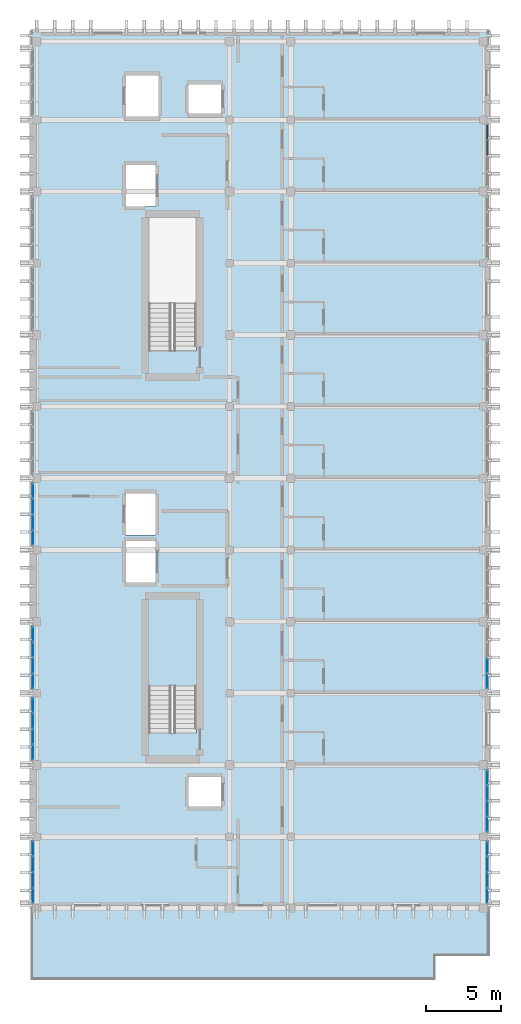
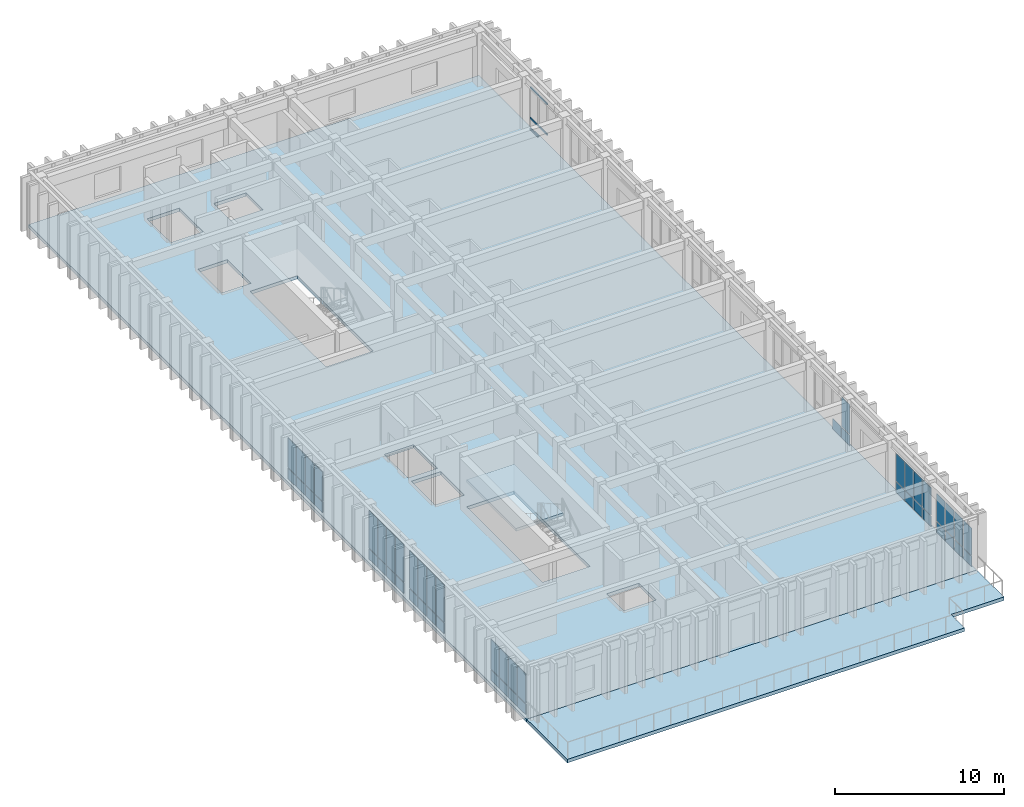
# One storey, part 37 of 49: 51 plates, 5 members, 3 slabs, 9 elements without a shape of their own.
"""IFC4 building model written with IfcOpenShell, lengths in metres."""

from ifc_helpers import new_model, si_unit, direction, frame, origin, origin_2d, place, context, subcontext, project, spatial, polyline, rectangle, hollow_rectangle, outline, extrude, material, layer, layer_set, material_profile, profile_set, type_object, element, aggregate, save


model = new_model("IFC4")

# Units and contexts
model_context = context("Model", 3, precision=1e-05, world=origin(), true_north=direction((0.0, 1.0)))
body_context = subcontext(model_context, "Body", "Model", "MODEL_VIEW")
ifc_project = project(units=[si_unit("LENGTHUNIT", "METRE"), si_unit("AREAUNIT", "SQUARE_METRE"), si_unit("VOLUMEUNIT", "CUBIC_METRE"), si_unit("PLANEANGLEUNIT", "RADIAN"), si_unit("MASSUNIT", "GRAM", prefix="KILO")], contexts=[model_context])

# Site, building, storey
site_placement = place(None, origin())
site = spatial("IfcSite", under=ifc_project, at=site_placement, CompositionType="ELEMENT")
building_placement = place(site_placement, origin())
building = spatial("IfcBuilding", under=site, at=building_placement, Name="Nakhvara Creek Congress Hotel", CompositionType="ELEMENT")
storey_placement = place(building_placement, frame((0.0, 0.0, 46.5)))
storey = spatial("IfcBuildingStorey", under=building, at=storey_placement, Name="L11", CompositionType="ELEMENT", Elevation=46.5)

# Curtain wall, members
ifc_material_1 = material(Name="Bronze-anodised aluminium AW-6063-T6 and double-silver low-E glass", Category="aluminium")
ifc_layer_1 = layer(ifc_material_1, 0.199951171875)
ifc_layer_set_1 = layer_set([ifc_layer_1], Name="Bronze-anodised aluminium AW-6063-T6 and double-silver low-E glass")
curtain_wall_type = type_object("IfcCurtainWallType", Name="CW-HTL-UNIT", PredefinedType="USERDEFINED", material=ifc_layer_set_1)
curtain_wall_1_placement = place(storey_placement, origin())
curtain_wall_1 = element("IfcCurtainWall", 1, at=curtain_wall_1_placement, inside=storey, type_object=curtain_wall_type, Name="Curtain Wall CW346", ObjectType="UNITISED", PredefinedType="USERDEFINED")
ifc_material_2 = material(Name="Bronze-anodised aluminium AW-6063-T6", Category="aluminium")
ifc_material_profile = material_profile(ifc_material_2, hollow_rectangle(XDim=0.06494140625, YDim=0.1201171875, WallThickness=0.00390625, at=origin_2d()), Name="ALU-TRAN 65x120x4", Category="LoadBearing")
ifc_profile_set = profile_set([ifc_material_profile], Name="Bronze-anodised aluminium AW-6063-T6")
member_type = type_object("IfcMemberType", Name="CW-TRAN-120", PredefinedType="USERDEFINED", material=ifc_profile_set)
member_1_placement = place(storey_placement, frame((179.60009765625, 119.659912109375, 0.032470703125), z_axis=(0.0, -1.0, 0.0), x_axis=(1.0, 0.0, 0.0)))
member_1 = element("IfcMember", 2, at=member_1_placement, type_object=member_type, Name="CW346 transom 1.1", ObjectType="TRANSOM", PredefinedType="USERDEFINED", context=body_context, shape_type="SweptSolid", body=[
    extrude(hollow_rectangle(XDim=0.06494140625, YDim=0.1201171875, WallThickness=0.00390625, at=origin_2d()), origin(), (0.0, 0.0, 1.0), 0.95751953125),
])
member_2_placement = place(storey_placement, frame((179.60009765625, 119.659912109375, 0.85009765625), z_axis=(0.0, -1.0, 0.0), x_axis=(1.0, 0.0, 0.0)))
member_2 = element("IfcMember", 3, at=member_2_placement, type_object=member_type, Name="CW346 transom 1.2", ObjectType="TRANSOM", PredefinedType="USERDEFINED", context=body_context, shape_type="SweptSolid", body=[
    extrude(hollow_rectangle(XDim=0.06494140625, YDim=0.1201171875, WallThickness=0.00390625, at=origin_2d()), origin(), (0.0, 0.0, 1.0), 0.95751953125),
])
member_3_placement = place(storey_placement, frame((179.60009765625, 119.659912109375, 3.03955078125), z_axis=(0.0, -1.0, 0.0), x_axis=(1.0, 0.0, 0.0)))
member_3 = element("IfcMember", 4, at=member_3_placement, type_object=member_type, Name="CW346 transom 1.3", ObjectType="TRANSOM", PredefinedType="USERDEFINED", context=body_context, shape_type="SweptSolid", body=[
    extrude(hollow_rectangle(XDim=0.06494140625, YDim=0.1201171875, WallThickness=0.00390625, at=origin_2d()), origin(), (0.0, 0.0, 1.0), 0.95751953125),
])
member_4_placement = place(storey_placement, frame((179.60009765625, 118.637451171875, 0.85009765625), z_axis=(0.0, -1.0, 0.0), x_axis=(1.0, 0.0, 0.0)))
member_4 = element("IfcMember", 5, at=member_4_placement, type_object=member_type, Name="CW346 transom 2.2", ObjectType="TRANSOM", PredefinedType="USERDEFINED", context=body_context, shape_type="SweptSolid", body=[
    extrude(hollow_rectangle(XDim=0.06494140625, YDim=0.1201171875, WallThickness=0.00390625, at=origin_2d()), origin(), (0.0, 0.0, 1.0), 0.989990234375),
])
member_5_placement = place(storey_placement, frame((179.60009765625, 118.637451171875, 3.03955078125), z_axis=(0.0, -1.0, 0.0), x_axis=(1.0, 0.0, 0.0)))
member_5 = element("IfcMember", 6, at=member_5_placement, type_object=member_type, Name="CW346 transom 2.3", ObjectType="TRANSOM", PredefinedType="USERDEFINED", context=body_context, shape_type="SweptSolid", body=[
    extrude(hollow_rectangle(XDim=0.06494140625, YDim=0.1201171875, WallThickness=0.00390625, at=origin_2d()), origin(), (0.0, 0.0, 1.0), 0.989990234375),
])
aggregate(curtain_wall_1, [member_1, member_2, member_3, member_4, member_5])

# Curtain wall, plates
curtain_wall_2_placement = place(storey_placement, origin())
curtain_wall_2 = element("IfcCurtainWall", 7, at=curtain_wall_2_placement, inside=storey, type_object=curtain_wall_type, Name="Curtain Wall CW332", ObjectType="UNITISED", PredefinedType="USERDEFINED")
ifc_material_3 = material(Name="Double-silver solar-control low-E insulated glass", Category="glass")
plate_type_1 = type_object("IfcPlateType", Name="PNL-GLZ-120X250", PredefinedType="CURTAIN_PANEL", material=ifc_material_3)
plate_1_placement = place(storey_placement, frame((179.60009765625, 71.18115234375, 0.06494140625), z_axis=(0.0, 0.0, 1.0), x_axis=(0.0, -1.0, 0.0)))
plate_1 = element("IfcPlate", 8, at=plate_1_placement, type_object=plate_type_1, Name="CW332 panel 1.1", PredefinedType="CURTAIN_PANEL", context=body_context, shape_type="SweptSolid", body=[
    extrude(rectangle(XDim=0.95751953125, YDim=0.028076171875, at=origin_2d()), origin(), (0.0, 0.0, 1.0), 0.75244140625),
])
plate_2_placement = place(storey_placement, frame((179.60009765625, 71.18115234375, 0.88232421875), z_axis=(0.0, 0.0, 1.0), x_axis=(0.0, -1.0, 0.0)))
plate_2 = element("IfcPlate", 9, at=plate_2_placement, type_object=plate_type_1, Name="CW332 panel 1.2", PredefinedType="CURTAIN_PANEL", context=body_context, shape_type="SweptSolid", body=[
    extrude(rectangle(XDim=0.95751953125, YDim=0.028076171875, at=origin_2d()), origin(), (0.0, 0.0, 1.0), 1.974609375),
])
plate_3_placement = place(storey_placement, frame((179.60009765625, 70.142578125, 0.06494140625), z_axis=(0.0, 0.0, 1.0), x_axis=(0.0, -1.0, 0.0)))
plate_3 = element("IfcPlate", 10, at=plate_3_placement, type_object=plate_type_1, Name="CW332 panel 2.1", PredefinedType="CURTAIN_PANEL", context=body_context, shape_type="SweptSolid", body=[
    extrude(rectangle(XDim=0.989990234375, YDim=0.028076171875, at=origin_2d()), origin(), (0.0, 0.0, 1.0), 0.75244140625),
])
plate_4_placement = place(storey_placement, frame((179.60009765625, 70.142578125, 0.88232421875), z_axis=(0.0, 0.0, 1.0), x_axis=(0.0, -1.0, 0.0)))
plate_4 = element("IfcPlate", 11, at=plate_4_placement, type_object=plate_type_1, Name="CW332 panel 2.2", PredefinedType="CURTAIN_PANEL", context=body_context, shape_type="SweptSolid", body=[
    extrude(rectangle(XDim=0.989990234375, YDim=0.028076171875, at=origin_2d()), origin(), (0.0, 0.0, 1.0), 1.974609375),
])
plate_5_placement = place(storey_placement, frame((179.60009765625, 69.08740234375, 0.06494140625), z_axis=(0.0, 0.0, 1.0), x_axis=(0.0, -1.0, 0.0)))
plate_5 = element("IfcPlate", 12, at=plate_5_placement, type_object=plate_type_1, Name="CW332 panel 3.1", PredefinedType="CURTAIN_PANEL", context=body_context, shape_type="SweptSolid", body=[
    extrude(rectangle(XDim=0.989990234375, YDim=0.028076171875, at=origin_2d()), origin(), (0.0, 0.0, 1.0), 0.75244140625),
])
plate_6_placement = place(storey_placement, frame((179.60009765625, 69.08740234375, 0.88232421875), z_axis=(0.0, 0.0, 1.0), x_axis=(0.0, -1.0, 0.0)))
plate_6 = element("IfcPlate", 13, at=plate_6_placement, type_object=plate_type_1, Name="CW332 panel 3.2", PredefinedType="CURTAIN_PANEL", context=body_context, shape_type="SweptSolid", body=[
    extrude(rectangle(XDim=0.989990234375, YDim=0.028076171875, at=origin_2d()), origin(), (0.0, 0.0, 1.0), 1.974609375),
])
plate_7_placement = place(storey_placement, frame((179.60009765625, 68.048828125, 0.06494140625), z_axis=(0.0, 0.0, 1.0), x_axis=(0.0, -1.0, 0.0)))
plate_7 = element("IfcPlate", 14, at=plate_7_placement, type_object=plate_type_1, Name="CW332 panel 4.1", PredefinedType="CURTAIN_PANEL", context=body_context, shape_type="SweptSolid", body=[
    extrude(rectangle(XDim=0.95751953125, YDim=0.028076171875, at=origin_2d()), origin(), (0.0, 0.0, 1.0), 0.75244140625),
])
plate_8_placement = place(storey_placement, frame((179.60009765625, 68.048828125, 0.88232421875), z_axis=(0.0, 0.0, 1.0), x_axis=(0.0, -1.0, 0.0)))
plate_8 = element("IfcPlate", 15, at=plate_8_placement, type_object=plate_type_1, Name="CW332 panel 4.2", PredefinedType="CURTAIN_PANEL", context=body_context, shape_type="SweptSolid", body=[
    extrude(rectangle(XDim=0.95751953125, YDim=0.028076171875, at=origin_2d()), origin(), (0.0, 0.0, 1.0), 1.974609375),
])
aggregate(curtain_wall_2, [plate_1, plate_2, plate_3, plate_4, plate_5, plate_6, plate_7, plate_8])

curtain_wall_3_placement = place(storey_placement, origin())
curtain_wall_3 = element("IfcCurtainWall", 16, at=curtain_wall_3_placement, inside=storey, type_object=curtain_wall_type, Name="Curtain Wall CW333", ObjectType="UNITISED", PredefinedType="USERDEFINED")
plate_9_placement = place(storey_placement, frame((149.199951171875, 68.048828125, 0.06494140625), z_axis=(0.0, 0.0, 1.0), x_axis=(0.0, 1.0, 0.0)))
plate_9 = element("IfcPlate", 17, at=plate_9_placement, type_object=plate_type_1, Name="CW333 panel 1.1", PredefinedType="CURTAIN_PANEL", context=body_context, shape_type="SweptSolid", body=[
    extrude(rectangle(XDim=0.95751953125, YDim=0.028076171875, at=origin_2d()), origin(), (0.0, 0.0, 1.0), 0.75244140625),
])
plate_10_placement = place(storey_placement, frame((149.199951171875, 68.048828125, 0.882568359375), z_axis=(0.0, 0.0, 1.0), x_axis=(0.0, 1.0, 0.0)))
plate_10 = element("IfcPlate", 18, at=plate_10_placement, type_object=plate_type_1, Name="CW333 panel 1.2", PredefinedType="CURTAIN_PANEL", context=body_context, shape_type="SweptSolid", body=[
    extrude(rectangle(XDim=0.95751953125, YDim=0.028076171875, at=origin_2d()), origin(), (0.0, 0.0, 1.0), 2.12451171875),
])
plate_11_placement = place(storey_placement, frame((149.199951171875, 69.08740234375, 0.06494140625), z_axis=(0.0, 0.0, 1.0), x_axis=(0.0, 1.0, 0.0)))
plate_11 = element("IfcPlate", 19, at=plate_11_placement, type_object=plate_type_1, Name="CW333 panel 2.1", PredefinedType="CURTAIN_PANEL", context=body_context, shape_type="SweptSolid", body=[
    extrude(rectangle(XDim=0.989990234375, YDim=0.028076171875, at=origin_2d()), origin(), (0.0, 0.0, 1.0), 0.75244140625),
])
plate_12_placement = place(storey_placement, frame((149.199951171875, 69.08740234375, 0.882568359375), z_axis=(0.0, 0.0, 1.0), x_axis=(0.0, 1.0, 0.0)))
plate_12 = element("IfcPlate", 20, at=plate_12_placement, type_object=plate_type_1, Name="CW333 panel 2.2", PredefinedType="CURTAIN_PANEL", context=body_context, shape_type="SweptSolid", body=[
    extrude(rectangle(XDim=0.989990234375, YDim=0.028076171875, at=origin_2d()), origin(), (0.0, 0.0, 1.0), 2.12451171875),
])
plate_13_placement = place(storey_placement, frame((149.199951171875, 70.142578125, 0.06494140625), z_axis=(0.0, 0.0, 1.0), x_axis=(0.0, 1.0, 0.0)))
plate_13 = element("IfcPlate", 21, at=plate_13_placement, type_object=plate_type_1, Name="CW333 panel 3.1", PredefinedType="CURTAIN_PANEL", context=body_context, shape_type="SweptSolid", body=[
    extrude(rectangle(XDim=0.989990234375, YDim=0.028076171875, at=origin_2d()), origin(), (0.0, 0.0, 1.0), 0.75244140625),
])
plate_14_placement = place(storey_placement, frame((149.199951171875, 70.142578125, 0.882568359375), z_axis=(0.0, 0.0, 1.0), x_axis=(0.0, 1.0, 0.0)))
plate_14 = element("IfcPlate", 22, at=plate_14_placement, type_object=plate_type_1, Name="CW333 panel 3.2", PredefinedType="CURTAIN_PANEL", context=body_context, shape_type="SweptSolid", body=[
    extrude(rectangle(XDim=0.989990234375, YDim=0.028076171875, at=origin_2d()), origin(), (0.0, 0.0, 1.0), 2.12451171875),
])
plate_15_placement = place(storey_placement, frame((149.199951171875, 71.18115234375, 0.06494140625), z_axis=(0.0, 0.0, 1.0), x_axis=(0.0, 1.0, 0.0)))
plate_15 = element("IfcPlate", 23, at=plate_15_placement, type_object=plate_type_1, Name="CW333 panel 4.1", PredefinedType="CURTAIN_PANEL", context=body_context, shape_type="SweptSolid", body=[
    extrude(rectangle(XDim=0.95751953125, YDim=0.028076171875, at=origin_2d()), origin(), (0.0, 0.0, 1.0), 0.75244140625),
])
plate_16_placement = place(storey_placement, frame((149.199951171875, 71.18115234375, 0.882568359375), z_axis=(0.0, 0.0, 1.0), x_axis=(0.0, 1.0, 0.0)))
plate_16 = element("IfcPlate", 24, at=plate_16_placement, type_object=plate_type_1, Name="CW333 panel 4.2", PredefinedType="CURTAIN_PANEL", context=body_context, shape_type="SweptSolid", body=[
    extrude(rectangle(XDim=0.95751953125, YDim=0.028076171875, at=origin_2d()), origin(), (0.0, 0.0, 1.0), 2.12451171875),
])
aggregate(curtain_wall_3, [plate_9, plate_10, plate_11, plate_12, plate_13, plate_14, plate_15, plate_16])

curtain_wall_4_placement = place(storey_placement, origin())
curtain_wall_4 = element("IfcCurtainWall", 25, at=curtain_wall_4_placement, inside=storey, type_object=curtain_wall_type, Name="Curtain Wall CW335", ObjectType="UNITISED", PredefinedType="USERDEFINED")
plate_17_placement = place(storey_placement, frame((149.199951171875, 77.648681640625, 0.06494140625), z_axis=(0.0, 0.0, 1.0), x_axis=(0.0, 1.0, 0.0)))
plate_17 = element("IfcPlate", 26, at=plate_17_placement, type_object=plate_type_1, Name="CW335 panel 1.1", PredefinedType="CURTAIN_PANEL", context=body_context, shape_type="SweptSolid", body=[
    extrude(rectangle(XDim=0.95751953125, YDim=0.028076171875, at=origin_2d()), origin(), (0.0, 0.0, 1.0), 0.75244140625),
])
plate_18_placement = place(storey_placement, frame((149.199951171875, 77.648681640625, 0.88232421875), z_axis=(0.0, 0.0, 1.0), x_axis=(0.0, 1.0, 0.0)))
plate_18 = element("IfcPlate", 27, at=plate_18_placement, type_object=plate_type_1, Name="CW335 panel 1.2", PredefinedType="CURTAIN_PANEL", context=body_context, shape_type="SweptSolid", body=[
    extrude(rectangle(XDim=0.95751953125, YDim=0.028076171875, at=origin_2d()), origin(), (0.0, 0.0, 1.0), 2.702392578125),
])
plate_19_placement = place(storey_placement, frame((149.199951171875, 78.6875, 0.06494140625), z_axis=(0.0, 0.0, 1.0), x_axis=(0.0, 1.0, 0.0)))
plate_19 = element("IfcPlate", 28, at=plate_19_placement, type_object=plate_type_1, Name="CW335 panel 2.1", PredefinedType="CURTAIN_PANEL", context=body_context, shape_type="SweptSolid", body=[
    extrude(rectangle(XDim=0.989990234375, YDim=0.028076171875, at=origin_2d()), origin(), (0.0, 0.0, 1.0), 0.75244140625),
])
plate_20_placement = place(storey_placement, frame((149.199951171875, 78.6875, 0.88232421875), z_axis=(0.0, 0.0, 1.0), x_axis=(0.0, 1.0, 0.0)))
plate_20 = element("IfcPlate", 29, at=plate_20_placement, type_object=plate_type_1, Name="CW335 panel 2.2", PredefinedType="CURTAIN_PANEL", context=body_context, shape_type="SweptSolid", body=[
    extrude(rectangle(XDim=0.989990234375, YDim=0.028076171875, at=origin_2d()), origin(), (0.0, 0.0, 1.0), 2.702392578125),
])
plate_21_placement = place(storey_placement, frame((149.199951171875, 79.742431640625, 0.06494140625), z_axis=(0.0, 0.0, 1.0), x_axis=(0.0, 1.0, 0.0)))
plate_21 = element("IfcPlate", 30, at=plate_21_placement, type_object=plate_type_1, Name="CW335 panel 3.1", PredefinedType="CURTAIN_PANEL", context=body_context, shape_type="SweptSolid", body=[
    extrude(rectangle(XDim=0.989990234375, YDim=0.028076171875, at=origin_2d()), origin(), (0.0, 0.0, 1.0), 0.75244140625),
])
plate_22_placement = place(storey_placement, frame((149.199951171875, 79.742431640625, 0.88232421875), z_axis=(0.0, 0.0, 1.0), x_axis=(0.0, 1.0, 0.0)))
plate_22 = element("IfcPlate", 31, at=plate_22_placement, type_object=plate_type_1, Name="CW335 panel 3.2", PredefinedType="CURTAIN_PANEL", context=body_context, shape_type="SweptSolid", body=[
    extrude(rectangle(XDim=0.989990234375, YDim=0.028076171875, at=origin_2d()), origin(), (0.0, 0.0, 1.0), 2.702392578125),
])
plate_23_placement = place(storey_placement, frame((149.199951171875, 80.78125, 0.06494140625), z_axis=(0.0, 0.0, 1.0), x_axis=(0.0, 1.0, 0.0)))
plate_23 = element("IfcPlate", 32, at=plate_23_placement, type_object=plate_type_1, Name="CW335 panel 4.1", PredefinedType="CURTAIN_PANEL", context=body_context, shape_type="SweptSolid", body=[
    extrude(rectangle(XDim=0.95751953125, YDim=0.028076171875, at=origin_2d()), origin(), (0.0, 0.0, 1.0), 0.75244140625),
])
plate_24_placement = place(storey_placement, frame((149.199951171875, 80.78125, 0.88232421875), z_axis=(0.0, 0.0, 1.0), x_axis=(0.0, 1.0, 0.0)))
plate_24 = element("IfcPlate", 33, at=plate_24_placement, type_object=plate_type_1, Name="CW335 panel 4.2", PredefinedType="CURTAIN_PANEL", context=body_context, shape_type="SweptSolid", body=[
    extrude(rectangle(XDim=0.95751953125, YDim=0.028076171875, at=origin_2d()), origin(), (0.0, 0.0, 1.0), 2.702392578125),
])
aggregate(curtain_wall_4, [plate_17, plate_18, plate_19, plate_20, plate_21, plate_22, plate_23, plate_24])

curtain_wall_5_placement = place(storey_placement, origin())
curtain_wall_5 = element("IfcCurtainWall", 34, at=curtain_wall_5_placement, inside=storey, type_object=curtain_wall_type, Name="Curtain Wall CW336", ObjectType="UNITISED", PredefinedType="USERDEFINED")
plate_25_placement = place(storey_placement, frame((179.60009765625, 83.45751953125, 0.06494140625), z_axis=(0.0, 0.0, 1.0), x_axis=(0.0, -1.0, 0.0)))
plate_25 = element("IfcPlate", 35, at=plate_25_placement, type_object=plate_type_1, Name="CW336 panel 3.1", PredefinedType="CURTAIN_PANEL", context=body_context, shape_type="SweptSolid", body=[
    extrude(rectangle(XDim=0.989990234375, YDim=0.028076171875, at=origin_2d()), origin(), (0.0, 0.0, 1.0), 0.75244140625),
])
plate_26_placement = place(storey_placement, frame((179.60009765625, 82.418701171875, 0.06494140625), z_axis=(0.0, 0.0, 1.0), x_axis=(0.0, -1.0, 0.0)))
plate_26 = element("IfcPlate", 36, at=plate_26_placement, type_object=plate_type_1, Name="CW336 panel 4.1", PredefinedType="CURTAIN_PANEL", context=body_context, shape_type="SweptSolid", body=[
    extrude(rectangle(XDim=0.95751953125, YDim=0.028076171875, at=origin_2d()), origin(), (0.0, 0.0, 1.0), 0.75244140625),
])
plate_27_placement = place(storey_placement, frame((179.60009765625, 82.418701171875, 0.882568359375), z_axis=(0.0, 0.0, 1.0), x_axis=(0.0, -1.0, 0.0)))
plate_27 = element("IfcPlate", 37, at=plate_27_placement, type_object=plate_type_1, Name="CW336 panel 4.2", PredefinedType="CURTAIN_PANEL", context=body_context, shape_type="SweptSolid", body=[
    extrude(rectangle(XDim=0.95751953125, YDim=0.028076171875, at=origin_2d()), origin(), (0.0, 0.0, 1.0), 2.12451171875),
])
aggregate(curtain_wall_5, [plate_25, plate_26, plate_27])

curtain_wall_6_placement = place(storey_placement, origin())
curtain_wall_6 = element("IfcCurtainWall", 38, at=curtain_wall_6_placement, inside=storey, type_object=curtain_wall_type, Name="Curtain Wall CW337", ObjectType="UNITISED", PredefinedType="USERDEFINED")
plate_28_placement = place(storey_placement, frame((149.199951171875, 82.418701171875, 0.06494140625), z_axis=(0.0, 0.0, 1.0), x_axis=(0.0, 1.0, 0.0)))
plate_28 = element("IfcPlate", 39, at=plate_28_placement, type_object=plate_type_1, Name="CW337 panel 1.1", PredefinedType="CURTAIN_PANEL", context=body_context, shape_type="SweptSolid", body=[
    extrude(rectangle(XDim=0.95751953125, YDim=0.028076171875, at=origin_2d()), origin(), (0.0, 0.0, 1.0), 0.75244140625),
])
plate_29_placement = place(storey_placement, frame((149.199951171875, 82.418701171875, 0.88232421875), z_axis=(0.0, 0.0, 1.0), x_axis=(0.0, 1.0, 0.0)))
plate_29 = element("IfcPlate", 40, at=plate_29_placement, type_object=plate_type_1, Name="CW337 panel 1.2", PredefinedType="CURTAIN_PANEL", context=body_context, shape_type="SweptSolid", body=[
    extrude(rectangle(XDim=0.95751953125, YDim=0.028076171875, at=origin_2d()), origin(), (0.0, 0.0, 1.0), 2.702392578125),
])
plate_30_placement = place(storey_placement, frame((149.199951171875, 83.45751953125, 0.06494140625), z_axis=(0.0, 0.0, 1.0), x_axis=(0.0, 1.0, 0.0)))
plate_30 = element("IfcPlate", 41, at=plate_30_placement, type_object=plate_type_1, Name="CW337 panel 2.1", PredefinedType="CURTAIN_PANEL", context=body_context, shape_type="SweptSolid", body=[
    extrude(rectangle(XDim=0.989990234375, YDim=0.028076171875, at=origin_2d()), origin(), (0.0, 0.0, 1.0), 0.75244140625),
])
plate_31_placement = place(storey_placement, frame((149.199951171875, 83.45751953125, 0.88232421875), z_axis=(0.0, 0.0, 1.0), x_axis=(0.0, 1.0, 0.0)))
plate_31 = element("IfcPlate", 42, at=plate_31_placement, type_object=plate_type_1, Name="CW337 panel 2.2", PredefinedType="CURTAIN_PANEL", context=body_context, shape_type="SweptSolid", body=[
    extrude(rectangle(XDim=0.989990234375, YDim=0.028076171875, at=origin_2d()), origin(), (0.0, 0.0, 1.0), 2.702392578125),
])
plate_32_placement = place(storey_placement, frame((149.199951171875, 84.512451171875, 0.06494140625), z_axis=(0.0, 0.0, 1.0), x_axis=(0.0, 1.0, 0.0)))
plate_32 = element("IfcPlate", 43, at=plate_32_placement, type_object=plate_type_1, Name="CW337 panel 3.1", PredefinedType="CURTAIN_PANEL", context=body_context, shape_type="SweptSolid", body=[
    extrude(rectangle(XDim=0.989990234375, YDim=0.028076171875, at=origin_2d()), origin(), (0.0, 0.0, 1.0), 0.75244140625),
])
plate_33_placement = place(storey_placement, frame((149.199951171875, 84.512451171875, 0.88232421875), z_axis=(0.0, 0.0, 1.0), x_axis=(0.0, 1.0, 0.0)))
plate_33 = element("IfcPlate", 44, at=plate_33_placement, type_object=plate_type_1, Name="CW337 panel 3.2", PredefinedType="CURTAIN_PANEL", context=body_context, shape_type="SweptSolid", body=[
    extrude(rectangle(XDim=0.989990234375, YDim=0.028076171875, at=origin_2d()), origin(), (0.0, 0.0, 1.0), 2.702392578125),
])
plate_34_placement = place(storey_placement, frame((149.199951171875, 85.55126953125, 0.06494140625), z_axis=(0.0, 0.0, 1.0), x_axis=(0.0, 1.0, 0.0)))
plate_34 = element("IfcPlate", 45, at=plate_34_placement, type_object=plate_type_1, Name="CW337 panel 4.1", PredefinedType="CURTAIN_PANEL", context=body_context, shape_type="SweptSolid", body=[
    extrude(rectangle(XDim=0.95751953125, YDim=0.028076171875, at=origin_2d()), origin(), (0.0, 0.0, 1.0), 0.75244140625),
])
plate_35_placement = place(storey_placement, frame((149.199951171875, 85.55126953125, 0.88232421875), z_axis=(0.0, 0.0, 1.0), x_axis=(0.0, 1.0, 0.0)))
plate_35 = element("IfcPlate", 46, at=plate_35_placement, type_object=plate_type_1, Name="CW337 panel 4.2", PredefinedType="CURTAIN_PANEL", context=body_context, shape_type="SweptSolid", body=[
    extrude(rectangle(XDim=0.95751953125, YDim=0.028076171875, at=origin_2d()), origin(), (0.0, 0.0, 1.0), 2.702392578125),
])
aggregate(curtain_wall_6, [plate_28, plate_29, plate_30, plate_31, plate_32, plate_33, plate_34, plate_35])

curtain_wall_7_placement = place(storey_placement, origin())
curtain_wall_7 = element("IfcCurtainWall", 47, at=curtain_wall_7_placement, inside=storey, type_object=curtain_wall_type, Name="Curtain Wall CW339", ObjectType="UNITISED", PredefinedType="USERDEFINED")
plate_36_placement = place(storey_placement, frame((149.199951171875, 92.018798828125, 0.06494140625), z_axis=(0.0, 0.0, 1.0), x_axis=(0.0, 1.0, 0.0)))
plate_36 = element("IfcPlate", 48, at=plate_36_placement, type_object=plate_type_1, Name="CW339 panel 1.1", PredefinedType="CURTAIN_PANEL", context=body_context, shape_type="SweptSolid", body=[
    extrude(rectangle(XDim=0.95751953125, YDim=0.028076171875, at=origin_2d()), origin(), (0.0, 0.0, 1.0), 0.75244140625),
])
plate_37_placement = place(storey_placement, frame((149.199951171875, 92.018798828125, 0.882568359375), z_axis=(0.0, 0.0, 1.0), x_axis=(0.0, 1.0, 0.0)))
plate_37 = element("IfcPlate", 49, at=plate_37_placement, type_object=plate_type_1, Name="CW339 panel 1.2", PredefinedType="CURTAIN_PANEL", context=body_context, shape_type="SweptSolid", body=[
    extrude(rectangle(XDim=0.95751953125, YDim=0.028076171875, at=origin_2d()), origin(), (0.0, 0.0, 1.0), 2.12451171875),
])
plate_38_placement = place(storey_placement, frame((149.199951171875, 93.0576171875, 0.06494140625), z_axis=(0.0, 0.0, 1.0), x_axis=(0.0, 1.0, 0.0)))
plate_38 = element("IfcPlate", 50, at=plate_38_placement, type_object=plate_type_1, Name="CW339 panel 2.1", PredefinedType="CURTAIN_PANEL", context=body_context, shape_type="SweptSolid", body=[
    extrude(rectangle(XDim=0.989990234375, YDim=0.028076171875, at=origin_2d()), origin(), (0.0, 0.0, 1.0), 0.75244140625),
])
plate_39_placement = place(storey_placement, frame((149.199951171875, 93.0576171875, 0.882568359375), z_axis=(0.0, 0.0, 1.0), x_axis=(0.0, 1.0, 0.0)))
plate_39 = element("IfcPlate", 51, at=plate_39_placement, type_object=plate_type_1, Name="CW339 panel 2.2", PredefinedType="CURTAIN_PANEL", context=body_context, shape_type="SweptSolid", body=[
    extrude(rectangle(XDim=0.989990234375, YDim=0.028076171875, at=origin_2d()), origin(), (0.0, 0.0, 1.0), 2.12451171875),
])
plate_40_placement = place(storey_placement, frame((149.199951171875, 94.112548828125, 0.06494140625), z_axis=(0.0, 0.0, 1.0), x_axis=(0.0, 1.0, 0.0)))
plate_40 = element("IfcPlate", 52, at=plate_40_placement, type_object=plate_type_1, Name="CW339 panel 3.1", PredefinedType="CURTAIN_PANEL", context=body_context, shape_type="SweptSolid", body=[
    extrude(rectangle(XDim=0.989990234375, YDim=0.028076171875, at=origin_2d()), origin(), (0.0, 0.0, 1.0), 0.75244140625),
])
plate_41_placement = place(storey_placement, frame((149.199951171875, 94.112548828125, 0.882568359375), z_axis=(0.0, 0.0, 1.0), x_axis=(0.0, 1.0, 0.0)))
plate_41 = element("IfcPlate", 53, at=plate_41_placement, type_object=plate_type_1, Name="CW339 panel 3.2", PredefinedType="CURTAIN_PANEL", context=body_context, shape_type="SweptSolid", body=[
    extrude(rectangle(XDim=0.989990234375, YDim=0.028076171875, at=origin_2d()), origin(), (0.0, 0.0, 1.0), 2.12451171875),
])
plate_42_placement = place(storey_placement, frame((149.199951171875, 95.1513671875, 0.06494140625), z_axis=(0.0, 0.0, 1.0), x_axis=(0.0, 1.0, 0.0)))
plate_42 = element("IfcPlate", 54, at=plate_42_placement, type_object=plate_type_1, Name="CW339 panel 4.1", PredefinedType="CURTAIN_PANEL", context=body_context, shape_type="SweptSolid", body=[
    extrude(rectangle(XDim=0.95751953125, YDim=0.028076171875, at=origin_2d()), origin(), (0.0, 0.0, 1.0), 0.75244140625),
])
plate_43_placement = place(storey_placement, frame((149.199951171875, 95.1513671875, 0.882568359375), z_axis=(0.0, 0.0, 1.0), x_axis=(0.0, 1.0, 0.0)))
plate_43 = element("IfcPlate", 55, at=plate_43_placement, type_object=plate_type_1, Name="CW339 panel 4.2", PredefinedType="CURTAIN_PANEL", context=body_context, shape_type="SweptSolid", body=[
    extrude(rectangle(XDim=0.95751953125, YDim=0.028076171875, at=origin_2d()), origin(), (0.0, 0.0, 1.0), 2.12451171875),
])
aggregate(curtain_wall_7, [plate_36, plate_37, plate_38, plate_39, plate_40, plate_41, plate_42, plate_43])

curtain_wall_8_placement = place(storey_placement, origin())
curtain_wall_8 = element("IfcCurtainWall", 56, at=curtain_wall_8_placement, inside=storey, type_object=curtain_wall_type, Name="Curtain Wall CW334", ObjectType="UNITISED", PredefinedType="USERDEFINED")
ifc_material_4 = material(Name="Back-insulated bronze spandrel glass panel", Category="glass")
plate_type_2 = type_object("IfcPlateType", Name="PNL-SPN-120X080", PredefinedType="CURTAIN_PANEL", material=ifc_material_4)
plate_44_placement = place(storey_placement, frame((179.60009765625, 75.951171875, 0.06494140625), z_axis=(0.0, 0.0, 1.0), x_axis=(0.0, -1.0, 0.0)))
plate_44 = element("IfcPlate", 57, at=plate_44_placement, type_object=plate_type_2, Name="CW334 panel 1.1", PredefinedType="CURTAIN_PANEL", context=body_context, shape_type="SweptSolid", body=[
    extrude(rectangle(XDim=0.95751953125, YDim=0.0419921875, at=origin_2d()), origin(), (0.0, 0.0, 1.0), 0.75244140625),
])
plate_45_placement = place(storey_placement, frame((179.60009765625, 75.951171875, 0.88232421875), z_axis=(0.0, 0.0, 1.0), x_axis=(0.0, -1.0, 0.0)))
plate_45 = element("IfcPlate", 58, at=plate_45_placement, type_object=plate_type_2, Name="CW334 panel 1.2", PredefinedType="CURTAIN_PANEL", context=body_context, shape_type="SweptSolid", body=[
    extrude(rectangle(XDim=0.95751953125, YDim=0.0419921875, at=origin_2d()), origin(), (0.0, 0.0, 1.0), 1.974609375),
])
plate_46_placement = place(storey_placement, frame((179.60009765625, 74.91259765625, 0.06494140625), z_axis=(0.0, 0.0, 1.0), x_axis=(0.0, -1.0, 0.0)))
plate_46 = element("IfcPlate", 59, at=plate_46_placement, type_object=plate_type_2, Name="CW334 panel 2.1", PredefinedType="CURTAIN_PANEL", context=body_context, shape_type="SweptSolid", body=[
    extrude(rectangle(XDim=0.989990234375, YDim=0.0419921875, at=origin_2d()), origin(), (0.0, 0.0, 1.0), 0.75244140625),
])
plate_47_placement = place(storey_placement, frame((179.60009765625, 74.91259765625, 0.88232421875), z_axis=(0.0, 0.0, 1.0), x_axis=(0.0, -1.0, 0.0)))
plate_47 = element("IfcPlate", 60, at=plate_47_placement, type_object=plate_type_2, Name="CW334 panel 2.2", PredefinedType="CURTAIN_PANEL", context=body_context, shape_type="SweptSolid", body=[
    extrude(rectangle(XDim=0.989990234375, YDim=0.0419921875, at=origin_2d()), origin(), (0.0, 0.0, 1.0), 1.974609375),
])
plate_48_placement = place(storey_placement, frame((179.60009765625, 73.857421875, 0.06494140625), z_axis=(0.0, 0.0, 1.0), x_axis=(0.0, -1.0, 0.0)))
plate_48 = element("IfcPlate", 61, at=plate_48_placement, type_object=plate_type_2, Name="CW334 panel 3.1", PredefinedType="CURTAIN_PANEL", context=body_context, shape_type="SweptSolid", body=[
    extrude(rectangle(XDim=0.989990234375, YDim=0.0419921875, at=origin_2d()), origin(), (0.0, 0.0, 1.0), 0.75244140625),
])
plate_49_placement = place(storey_placement, frame((179.60009765625, 73.857421875, 0.88232421875), z_axis=(0.0, 0.0, 1.0), x_axis=(0.0, -1.0, 0.0)))
plate_49 = element("IfcPlate", 62, at=plate_49_placement, type_object=plate_type_2, Name="CW334 panel 3.2", PredefinedType="CURTAIN_PANEL", context=body_context, shape_type="SweptSolid", body=[
    extrude(rectangle(XDim=0.989990234375, YDim=0.0419921875, at=origin_2d()), origin(), (0.0, 0.0, 1.0), 1.974609375),
])
plate_50_placement = place(storey_placement, frame((179.60009765625, 72.81884765625, 0.06494140625), z_axis=(0.0, 0.0, 1.0), x_axis=(0.0, -1.0, 0.0)))
plate_50 = element("IfcPlate", 63, at=plate_50_placement, type_object=plate_type_2, Name="CW334 panel 4.1", PredefinedType="CURTAIN_PANEL", context=body_context, shape_type="SweptSolid", body=[
    extrude(rectangle(XDim=0.95751953125, YDim=0.0419921875, at=origin_2d()), origin(), (0.0, 0.0, 1.0), 0.75244140625),
])
plate_51_placement = place(storey_placement, frame((179.60009765625, 72.81884765625, 0.88232421875), z_axis=(0.0, 0.0, 1.0), x_axis=(0.0, -1.0, 0.0)))
plate_51 = element("IfcPlate", 64, at=plate_51_placement, type_object=plate_type_2, Name="CW334 panel 4.2", PredefinedType="CURTAIN_PANEL", context=body_context, shape_type="SweptSolid", body=[
    extrude(rectangle(XDim=0.95751953125, YDim=0.0419921875, at=origin_2d()), origin(), (0.0, 0.0, 1.0), 1.974609375),
])
aggregate(curtain_wall_8, [plate_44, plate_45, plate_46, plate_47, plate_48, plate_49, plate_50, plate_51])

# Slabs
ifc_material_5 = material(Name="Concrete C40/50", Category="concrete")
ifc_layer_2 = layer(ifc_material_5, 0.25)
ifc_layer_set_2 = layer_set([ifc_layer_2], Name="Concrete C40/50")
slab_type_1 = type_object("IfcSlabType", Name="SL-EXT-250", PredefinedType="FLOOR", material=ifc_layer_set_2)
slab_1_placement = place(storey_placement, frame((0.0, 0.0, -0.25)))
element("IfcSlab", 65, at=slab_1_placement, inside=storey, type_object=slab_type_1, Name="Outdoor Terrace Slab SLB-L11-TER-S", PredefinedType="FLOOR", context=body_context, shape_type="SweptSolid", body=[
    extrude(outline(polyline([(149.050048828125, 62.39990234375), (176.14990234375, 62.39990234375), (176.14990234375, 64.0), (179.75, 64.0), (179.75, 67.199951171875), (149.050048828125, 67.199951171875), (149.050048828125, 62.39990234375)])), origin(), (0.0, 0.0, 1.0), 0.25),
])
ifc_layer_3 = layer(ifc_material_5, 0.239990234375)
ifc_layer_set_3 = layer_set([ifc_layer_3], Name="Concrete C40/50")
slab_type_2 = type_object("IfcSlabType", Name="SL-FLR-240", PredefinedType="FLOOR", material=ifc_layer_set_3)
slab_2_placement = place(storey_placement, frame((0.0, 0.0, -0.239990234375)))
element("IfcSlab", 66, at=slab_2_placement, inside=storey, type_object=slab_type_2, Name="Structural Slab SLB-L11-V5", PredefinedType="FLOOR", context=body_context, shape_type="SweptSolid", body=[
    extrude(outline(polyline([(149.050048828125, 126.0), (179.75, 126.0), (179.75, 67.199951171875), (149.050048828125, 67.199951171875), (149.050048828125, 126.0)]), holes=[polyline([(161.800048828125, 74.0), (161.800048828125, 76.0), (159.60009765625, 76.0), (159.60009765625, 74.0), (161.800048828125, 74.0)]), polyline([(160.14990234375, 87.89990234375), (156.919921875, 87.89990234375), (156.919921875, 78.93994140625), (160.14990234375, 78.93994140625), (160.14990234375, 87.89990234375)]), polyline([(157.39990234375, 89.0), (157.39990234375, 91.800048828125), (155.39990234375, 91.800048828125), (155.39990234375, 89.0), (157.39990234375, 89.0)]), polyline([(157.39990234375, 92.199951171875), (157.39990234375, 95.0), (155.39990234375, 95.0), (155.39990234375, 92.199951171875), (157.39990234375, 92.199951171875)]), polyline([(160.14990234375, 113.5), (156.919921875, 113.5), (156.919921875, 104.5400390625), (160.14990234375, 104.5400390625), (160.14990234375, 113.5)]), polyline([(157.39990234375, 114.199951171875), (157.39990234375, 117.0), (155.39990234375, 117.0), (155.39990234375, 114.199951171875), (157.39990234375, 114.199951171875)]), polyline([(161.800048828125, 120.39990234375), (161.800048828125, 122.39990234375), (159.60009765625, 122.39990234375), (159.60009765625, 120.39990234375), (161.800048828125, 120.39990234375)]), polyline([(157.60009765625, 120.199951171875), (157.60009765625, 123.0), (155.39990234375, 123.0), (155.39990234375, 120.199951171875), (157.60009765625, 120.199951171875)])]), origin(), (0.0, 0.0, 1.0), 0.239990234375),
])

# Stair, slab
stair_type = type_object("IfcStairType", Name="ST-CORE-160", PredefinedType="HALF_TURN_STAIR", material=ifc_material_5)
stair_placement = place(storey_placement, origin())
stair = element("IfcStair", 67, at=stair_placement, inside=storey, type_object=stair_type, Name="L11 Protected Exit Stair ST01", PredefinedType="HALF_TURN_STAIR")
ifc_layer_4 = layer(ifc_material_5, 0.199951171875)
ifc_layer_set_4 = layer_set([ifc_layer_4], Name="Concrete C40/50")
slab_type_3 = type_object("IfcSlabType", Name="SL-LAND-200", PredefinedType="LANDING", material=ifc_layer_set_4)
slab_3_placement = place(storey_placement, frame((0.0, 0.0, 1.75)))
slab_3 = element("IfcSlab", 68, at=slab_3_placement, type_object=slab_type_3, Name="ST01 landing 1", PredefinedType="LANDING", context=body_context, shape_type="SweptSolid", body=[
    extrude(outline(polyline([(160.14990234375, 82.090087890625), (160.14990234375, 87.89990234375), (156.919921875, 87.89990234375), (156.919921875, 82.090087890625), (160.14990234375, 82.090087890625)])), origin(), (0.0, 0.0, 1.0), 0.199951171875),
])
aggregate(stair, [slab_3])

save(model, "model.ifc")
